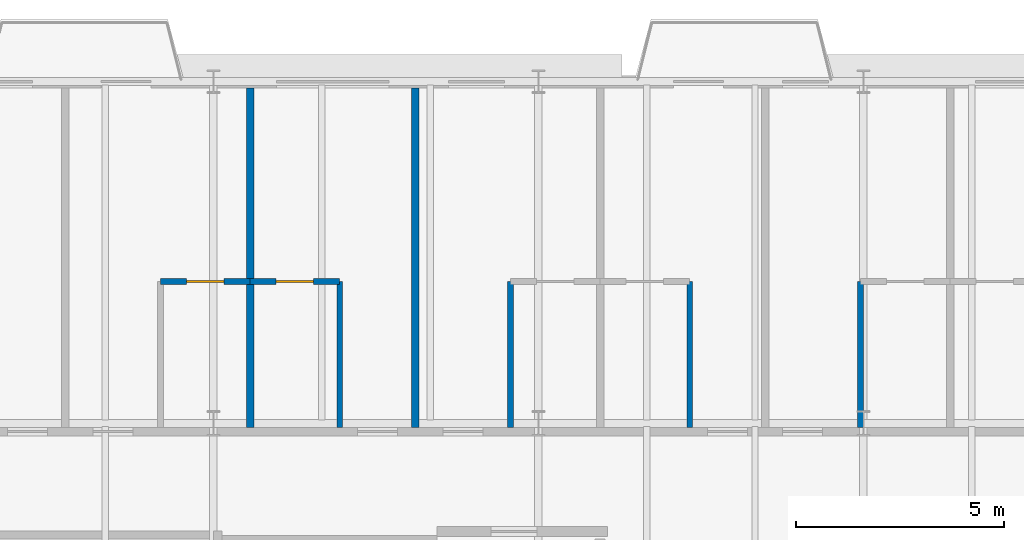
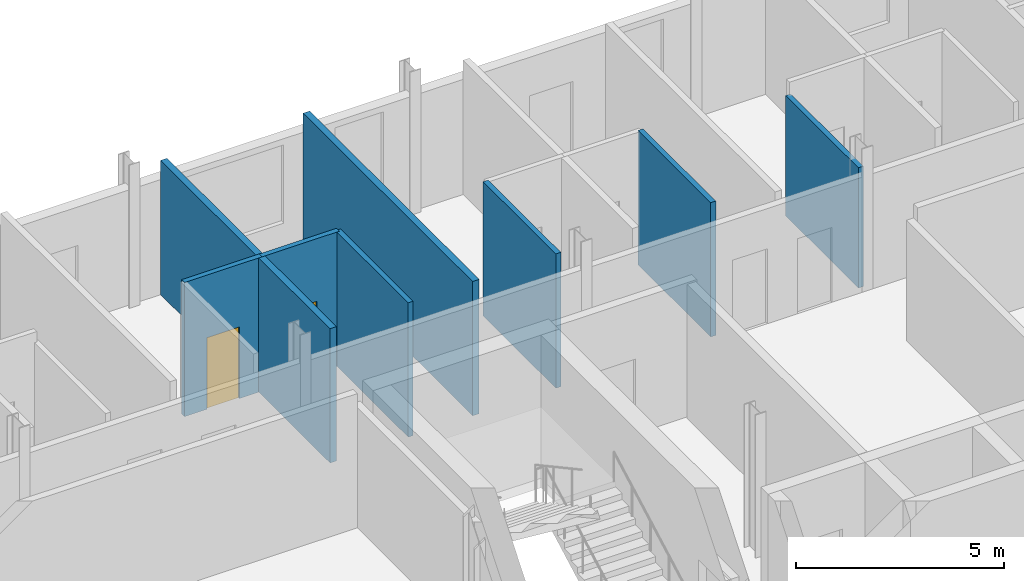
# One storey, part 37 of 45: 8 walls, 2 doors, 2 openings.
"""IFC4 building model written with IfcOpenShell, lengths in metres."""

from ifc_helpers import new_model, si_unit, direction, frame, frame_2d, origin, place, context, subcontext, project, spatial, rectangle, extrude, material, layer, layer_set, type_object, element, fill, save


model = new_model("IFC4")

# Units and contexts
model_context = context("Model", 3, precision=1e-05, world=origin(), true_north=direction((0.0, 1.0)))
body_context = subcontext(model_context, "Body", "Model", "MODEL_VIEW")
ifc_project = project(units=[si_unit("LENGTHUNIT", "METRE"), si_unit("AREAUNIT", "SQUARE_METRE"), si_unit("VOLUMEUNIT", "CUBIC_METRE"), si_unit("PLANEANGLEUNIT", "RADIAN"), si_unit("MASSUNIT", "GRAM", prefix="KILO")], contexts=[model_context])

# Site, building, storey
site_placement = place(None, origin())
site = spatial("IfcSite", under=ifc_project, at=site_placement, CompositionType="ELEMENT")
building_placement = place(site_placement, origin())
building = spatial("IfcBuilding", under=site, at=building_placement, Name="Sefraquen Railside Congress Hotel", CompositionType="ELEMENT")
storey_placement = place(building_placement, frame((0.0, 0.0, 20.39990234375)))
storey = spatial("IfcBuildingStorey", under=building, at=storey_placement, Name="L04", CompositionType="ELEMENT", Elevation=20.39990234375)

# Wall, opening, door
ifc_material_1 = material(Name="Moisture-resistant gypsum board", Category="gypsum")
ifc_layer_1 = layer(ifc_material_1, 0.139892578125)
ifc_layer_set_1 = layer_set([ifc_layer_1], Name="Moisture-resistant gypsum board")
wall_type_1 = type_object("IfcWallType", Name="TW-PW-140", PredefinedType="PARTITIONING", material=ifc_layer_set_1)
wall_1_placement = place(storey_placement, frame((62.929931640625, 113.199951171875, 0.0), z_axis=(0.0, 0.0, 1.0), x_axis=(1.0, 0.0, 0.0)))
wall_1 = element("IfcWall", 1, at=wall_1_placement, inside=storey, type_object=wall_type_1, Name="En-suite bathroom north wall RM-010", PredefinedType="PARTITIONING", context=body_context, shape_type="SweptSolid", body=[
    extrude(rectangle(XDim=2.150146484375, YDim=0.139892578125, at=frame_2d((1.0751953125, 0.0))), origin(), (0.0, 0.0, 1.0), 3.940185546875),
])
opening_1_placement = place(wall_1_placement, frame((0.625, 0.0, 0.0)))
opening_1 = element("IfcOpeningElement", 2, at=opening_1_placement, cuts=wall_1, Name="Opening ID-02", PredefinedType="OPENING", context=body_context, shape_type="SweptSolid", body=[
    extrude(rectangle(XDim=0.89990234375, YDim=2.10009765625, at=frame_2d((0.449951171875, 1.050048828125))), frame((0.0, 0.079833984375, 0.0), z_axis=(0.0, -1.0, 0.0), x_axis=(1.0, 0.0, 0.0)), (0.0, 0.0, 1.0), 0.159912109375),
])
ifc_material_2 = material(Name="Lacquered cedar joinery", Category="wood")
door_type = type_object("IfcDoorType", Name="TD-ID-02", OperationType="NOTDEFINED", PredefinedType="DOOR", material=ifc_material_2)
door_1_placement = place(opening_1_placement, origin())
door_1 = element("IfcDoor", 3, at=door_1_placement, inside=storey, type_object=door_type, Name="En-suite bathroom door RM-010", OperationType="SINGLE_SWING_RIGHT", OverallHeight=2.10009765625, OverallWidth=0.89990234375, PredefinedType="DOOR", context=body_context, shape_type="SweptSolid", body=[
    extrude(rectangle(XDim=0.89990234375, YDim=2.10009765625, at=frame_2d((0.449951171875, 1.050048828125))), frame((0.0, 0.02490234375, 0.0), z_axis=(0.0, -1.0, 0.0), x_axis=(1.0, 0.0, 0.0)), (0.0, 0.0, 1.0), 0.050048828125),
])
fill(opening_1, door_1)

# Wall
wall_2_placement = place(storey_placement, frame((67.22998046875, 109.699951171875, 0.0), z_axis=(0.0, 0.0, 1.0), x_axis=(0.0, 1.0, 0.0)))
element("IfcWall", 4, at=wall_2_placement, inside=storey, type_object=wall_type_1, Name="En-suite bathroom east wall RM-011", PredefinedType="PARTITIONING", context=body_context, shape_type="SweptSolid", body=[
    extrude(rectangle(XDim=3.5, YDim=0.139892578125, at=frame_2d((1.75, 0.0))), origin(), (0.0, 0.0, 1.0), 3.940185546875),
])

# Wall, opening, door
wall_3_placement = place(storey_placement, frame((65.080078125, 113.199951171875, 0.0), z_axis=(0.0, 0.0, 1.0), x_axis=(1.0, 0.0, 0.0)))
wall_3 = element("IfcWall", 5, at=wall_3_placement, inside=storey, type_object=wall_type_1, Name="En-suite bathroom north wall RM-011", PredefinedType="PARTITIONING", context=body_context, shape_type="SweptSolid", body=[
    extrude(rectangle(XDim=2.14990234375, YDim=0.139892578125, at=frame_2d((1.074951171875, 0.0))), origin(), (0.0, 0.0, 1.0), 3.940185546875),
])
opening_2_placement = place(wall_3_placement, frame((0.625, 0.0, 0.0)))
opening_2 = element("IfcOpeningElement", 6, at=opening_2_placement, cuts=wall_3, Name="Opening ID-02", PredefinedType="OPENING", context=body_context, shape_type="SweptSolid", body=[
    extrude(rectangle(XDim=0.89990234375, YDim=2.10009765625, at=frame_2d((0.449951171875, 1.050048828125))), frame((0.0, 0.079833984375, 0.0), z_axis=(0.0, -1.0, 0.0), x_axis=(1.0, 0.0, 0.0)), (0.0, 0.0, 1.0), 0.159912109375),
])
door_2_placement = place(opening_2_placement, origin())
door_2 = element("IfcDoor", 7, at=door_2_placement, inside=storey, type_object=door_type, Name="En-suite bathroom door RM-011", OperationType="SINGLE_SWING_RIGHT", OverallHeight=2.10009765625, OverallWidth=0.89990234375, PredefinedType="DOOR", context=body_context, shape_type="SweptSolid", body=[
    extrude(rectangle(XDim=0.89990234375, YDim=2.10009765625, at=frame_2d((0.449951171875, 1.050048828125))), frame((0.0, 0.02490234375, 0.0), z_axis=(0.0, -1.0, 0.0), x_axis=(1.0, 0.0, 0.0)), (0.0, 0.0, 1.0), 0.050048828125),
])
fill(opening_2, door_2)

# Walls
for number, where, z_axis, x_axis, name in (
    (8, (71.330078125, 109.699951171875, 0.0), (0.0, 0.0, 1.0), (0.0, 1.0, 0.0), "En-suite bathroom west wall RM-012"),
    (9, (75.6298828125, 109.699951171875, 0.0), (0.0, 0.0, 1.0), (0.0, 1.0, 0.0), "En-suite bathroom east wall RM-013"),
):
    element("IfcWall", number, at=place(storey_placement, frame(where, z_axis=z_axis, x_axis=x_axis)), inside=storey, type_object=wall_type_1, Name=name, PredefinedType="PARTITIONING", context=body_context, shape_type="SweptSolid", body=[
        extrude(rectangle(XDim=3.5, YDim=0.139892578125, at=frame_2d((1.75, 0.0))), origin(), (0.0, 0.0, 1.0), 3.940185546875),
    ])
wall_4_placement = place(storey_placement, frame((79.72998046875, 109.699951171875, 0.0), z_axis=(0.0, 0.0, 1.0), x_axis=(0.0, 1.0, 0.0)))
element("IfcWall", 10, at=wall_4_placement, inside=storey, type_object=wall_type_1, Name="En-suite bathroom west wall RM-014", PredefinedType="PARTITIONING", context=body_context, shape_type="SweptSolid", body=[
    extrude(rectangle(XDim=3.5, YDim=0.139892578125, at=frame_2d((1.75, 0.0))), origin(), (0.0, 0.0, 1.0), 3.530029296875),
])
ifc_material_3 = material(Name="Acoustic gypsum board on metal stud", Category="gypsum")
ifc_layer_2 = layer(ifc_material_3, 0.179931640625)
ifc_layer_set_2 = layer_set([ifc_layer_2], Name="Acoustic gypsum board on metal stud")
wall_type_2 = type_object("IfcWallType", Name="TW-PW-180", PredefinedType="PARTITIONING", material=ifc_layer_set_2)
for number, where, z_axis, x_axis, name in (
    (11, (65.080078125, 109.699951171875, 0.0), (0.0, 0.0, 1.0), (0.0, 1.0, 0.0), "Guest room demising wall RM-010"),
    (12, (69.0400390625, 109.699951171875, 0.0), (0.0, 0.0, 1.0), (0.0, 1.0, 0.0), "Guest room demising wall RM-011"),
):
    element("IfcWall", number, at=place(storey_placement, frame(where, z_axis=z_axis, x_axis=x_axis)), inside=storey, type_object=wall_type_2, Name=name, PredefinedType="PARTITIONING", context=body_context, shape_type="SweptSolid", body=[
        extrude(rectangle(XDim=8.150146484375, YDim=0.179931640625, at=frame_2d((4.0751953125, 0.0))), origin(), (0.0, 0.0, 1.0), 3.940185546875),
    ])

save(model, "model.ifc")
